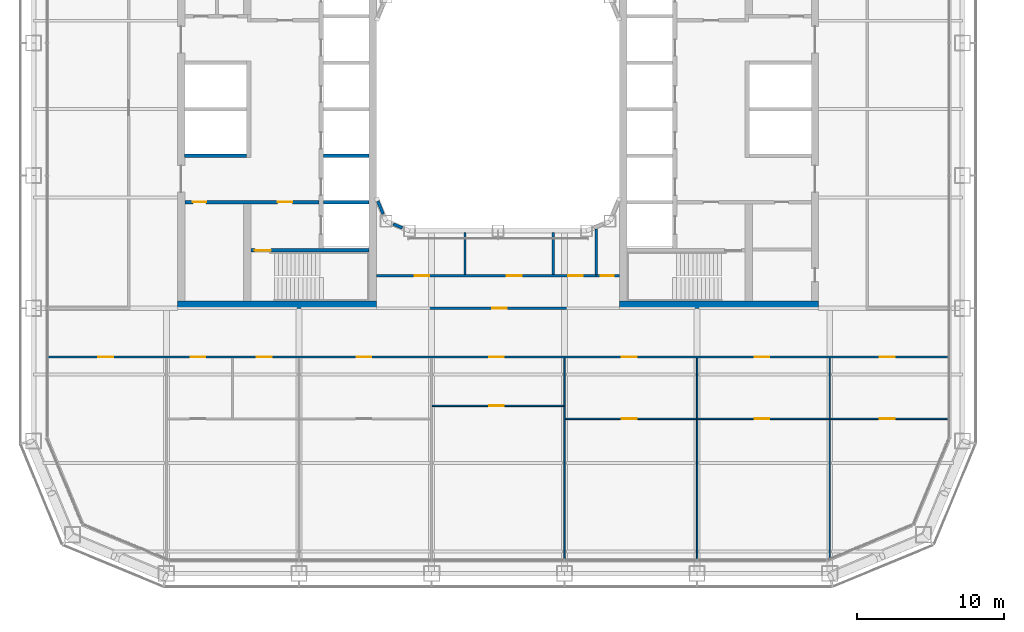
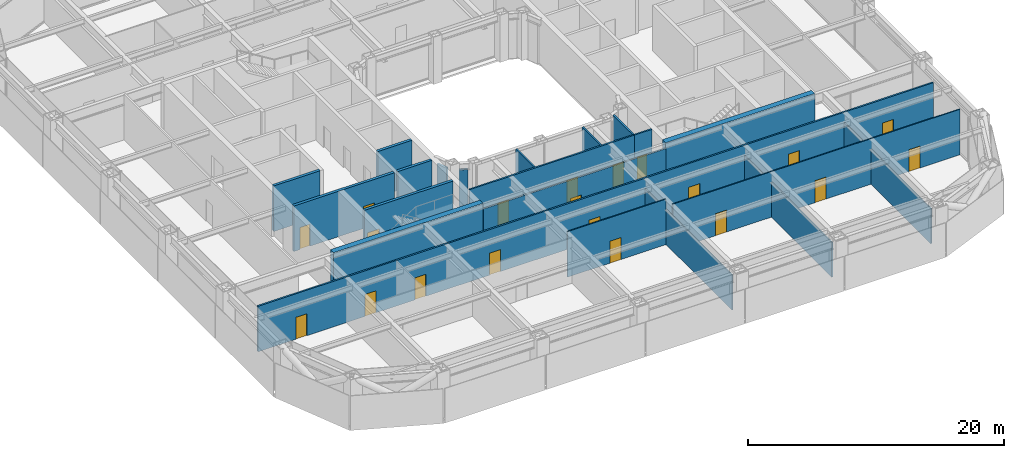
# One storey, part 13 of 30: 23 walls, 20 doors, 20 openings.
"""IFC4 building model written with IfcOpenShell, lengths in metres."""

from ifc_helpers import new_model, si_unit, direction, frame, frame_2d, origin, place, context, subcontext, project, spatial, rectangle, extrude, material, layer, layer_set, type_object, element, fill, save


model = new_model("IFC4")

# Units and contexts
model_context = context("Model", 3, precision=1e-05, world=origin(), true_north=direction((0.0, 1.0)))
body_context = subcontext(model_context, "Body", "Model", "MODEL_VIEW")
ifc_project = project(units=[si_unit("LENGTHUNIT", "METRE"), si_unit("AREAUNIT", "SQUARE_METRE"), si_unit("VOLUMEUNIT", "CUBIC_METRE"), si_unit("PLANEANGLEUNIT", "RADIAN"), si_unit("MASSUNIT", "GRAM", prefix="KILO")], contexts=[model_context])

# Site, building, storey
site_placement = place(None, origin())
site = spatial("IfcSite", under=ifc_project, at=site_placement, CompositionType="ELEMENT")
building_placement = place(site_placement, origin())
building = spatial("IfcBuilding", under=site, at=building_placement, Name="Siwar Civic Tower", CompositionType="ELEMENT")
storey_placement = place(building_placement, frame((0.0, 0.0, 44.699951171875)))
storey = spatial("IfcBuildingStorey", under=building, at=storey_placement, Name="L09", CompositionType="ELEMENT", Elevation=44.699951171875)

# Wall, opening, door
ifc_material_1 = material(Name="Gypsum board on steel studs", Category="steel")
ifc_layer_1 = layer(ifc_material_1, 0.14990234375)
ifc_layer_set_1 = layer_set([ifc_layer_1], Name="Gypsum board on steel studs")
wall_type_1 = type_object("IfcWallType", Name="COMPARTMENT PARTITION 150 EI 60", PredefinedType="PARTITIONING", material=ifc_layer_set_1)
wall_1_placement = place(storey_placement, frame((6.659912109375, -11.300048828125, 0.0), z_axis=(0.0, 0.0, 1.0), x_axis=(1.0, 0.0, 0.0)))
wall_1 = element("IfcWall", 1, at=wall_1_placement, inside=storey, type_object=wall_type_1, Name="L09/wall/P09", PredefinedType="PARTITIONING", context=body_context, shape_type="SweptSolid", body=[
    extrude(rectangle(XDim=1.590087890625, YDim=0.14990234375, at=frame_2d((0.794921875, 0.0))), origin(), (0.0, 0.0, 1.0), 4.35009765625),
])
opening_1_placement = place(wall_1_placement, frame((0.2900390625, 0.0, 0.0)))
opening_1 = element("IfcOpeningElement", 2, at=opening_1_placement, cuts=wall_1, Name="Opening D4", PredefinedType="OPENING", context=body_context, shape_type="SweptSolid", body=[
    extrude(rectangle(XDim=0.89990234375, YDim=2.10009765625, at=frame_2d((0.449951171875, 1.050048828125))), frame((0.0, 0.0849609375, 0.0), z_axis=(0.0, -1.0, 0.0), x_axis=(1.0, 0.0, 0.0)), (0.0, 0.0, 1.0), 0.169921875),
])
ifc_material_2 = material(Name="Timber, painted", Category="wood")
door_type_1 = type_object("IfcDoorType", Name="DOOR 900 X 2100 FD60", OperationType="SINGLE_SWING_LEFT", PredefinedType="DOOR", material=ifc_material_2)
door_1_placement = place(opening_1_placement, origin())
door_1 = element("IfcDoor", 3, at=door_1_placement, inside=storey, type_object=door_type_1, Name="L09-D37", OperationType="SINGLE_SWING_LEFT", OverallHeight=2.10009765625, OverallWidth=0.89990234375, PredefinedType="DOOR", context=body_context, shape_type="SweptSolid", body=[
    extrude(rectangle(XDim=0.89990234375, YDim=2.10009765625, at=frame_2d((0.449951171875, 1.050048828125))), frame((0.0, 0.02490234375, 0.0), z_axis=(0.0, -1.0, 0.0), x_axis=(1.0, 0.0, 0.0)), (0.0, 0.0, 1.0), 0.050048828125),
])
fill(opening_1, door_1)

# Wall
wall_2_placement = place(storey_placement, frame((6.659912109375, -11.22509765625, 0.0), z_axis=(0.0, 0.0, 1.0), x_axis=(0.0, 1.0, 0.0)))
element("IfcWall", 4, at=wall_2_placement, inside=storey, type_object=wall_type_1, Name="L09/wall/P34", PredefinedType="PARTITIONING", context=body_context, shape_type="SweptSolid", body=[
    extrude(rectangle(XDim=3.089111328125, YDim=0.14990234375, at=frame_2d((1.54443359375, 0.0))), origin(), (0.0, 0.0, 1.0), 4.35009765625),
])

# Wall, openings, doors
ifc_material_3 = material(Name="Concrete C60/75", Category="concrete")
ifc_layer_2 = layer(ifc_material_3, 0.25)
ifc_layer_set_2 = layer_set([ifc_layer_2], Name="Concrete C60/75")
wall_type_2 = type_object("IfcWallType", Name="CORE-WALL-RC250", PredefinedType="SHEAR", material=ifc_layer_set_2)
wall_3_placement = place(storey_placement, frame((-12.14990234375, -6.300048828125, 0.0), z_axis=(0.0, 0.0, 1.0), x_axis=(-1.0, 0.0, 0.0)))
wall_3 = element("IfcWall", 5, at=wall_3_placement, inside=storey, type_object=wall_type_2, Name="Core wall W", PredefinedType="SHEAR", context=body_context, shape_type="SweptSolid", body=[
    extrude(rectangle(XDim=9.10009765625, YDim=0.25, at=frame_2d((4.550048828125, 0.0))), origin(), (0.0, 0.0, 1.0), 4.35009765625),
])
opening_2_placement = place(wall_3_placement, frame((1.800048828125, 0.0, 0.0)))
opening_2 = element("IfcOpeningElement", 6, at=opening_2_placement, cuts=wall_3, Name="Opening L09-CW02", PredefinedType="OPENING", context=body_context, shape_type="SweptSolid", body=[
    extrude(rectangle(XDim=1.0, YDim=2.10009765625, at=frame_2d((0.5, 1.050048828125))), frame((0.0, 0.135009765625, 0.0), z_axis=(0.0, -1.0, 0.0), x_axis=(1.0, 0.0, 0.0)), (0.0, 0.0, 1.0), 0.27001953125),
])
opening_3_placement = place(wall_3_placement, frame((7.64990234375, 0.0, 0.0)))
opening_3 = element("IfcOpeningElement", 7, at=opening_3_placement, cuts=wall_3, Name="Opening L09-CW15", PredefinedType="OPENING", context=body_context, shape_type="SweptSolid", body=[
    extrude(rectangle(XDim=0.89990234375, YDim=2.10009765625, at=frame_2d((0.449951171875, 1.050048828125))), frame((0.0, 0.135009765625, 0.0), z_axis=(0.0, -1.0, 0.0), x_axis=(1.0, 0.0, 0.0)), (0.0, 0.0, 1.0), 0.27001953125),
])
ifc_material_4 = material(Name="Steel door leaf", Category="steel")
door_type_2 = type_object("IfcDoorType", Name="CORE-DOOR-FD30S", OperationType="SINGLE_SWING_LEFT", PredefinedType="DOOR", material=ifc_material_4)
door_2_placement = place(opening_2_placement, origin())
door_2 = element("IfcDoor", 8, at=door_2_placement, inside=storey, type_object=door_type_2, Name="Service lobby door L09-CW02", OperationType="SINGLE_SWING_RIGHT", OverallHeight=2.10009765625, OverallWidth=1.0, PredefinedType="DOOR", context=body_context, shape_type="SweptSolid", body=[
    extrude(rectangle(XDim=1.0, YDim=2.10009765625, at=frame_2d((0.5, 1.050048828125))), frame((0.0, 0.02490234375, 0.0), z_axis=(0.0, -1.0, 0.0), x_axis=(1.0, 0.0, 0.0)), (0.0, 0.0, 1.0), 0.050048828125),
])
fill(opening_2, door_2)
ifc_material_5 = material(Name="Steel door leaf", Category="steel")
door_type_3 = type_object("IfcDoorType", Name="CORE-DOOR-ROOM", OperationType="SINGLE_SWING_LEFT", PredefinedType="DOOR", material=ifc_material_5)
door_3_placement = place(opening_3_placement, origin())
door_3 = element("IfcDoor", 9, at=door_3_placement, inside=storey, type_object=door_type_3, Name="Core room door L09-CW15", OperationType="SINGLE_SWING_LEFT", OverallHeight=2.10009765625, OverallWidth=0.89990234375, PredefinedType="DOOR", context=body_context, shape_type="SweptSolid", body=[
    extrude(rectangle(XDim=0.89990234375, YDim=2.10009765625, at=frame_2d((0.449951171875, 1.050048828125))), frame((0.0, 0.02490234375, 0.0), z_axis=(0.0, -1.0, 0.0), x_axis=(1.0, 0.0, 0.0)), (0.0, 0.0, 1.0), 0.050048828125),
])
fill(opening_3, door_3)

# Walls
wall_4_placement = place(storey_placement, frame((-17.050048828125, -3.14990234375, 0.0), z_axis=(0.0, 0.0, 1.0), x_axis=(-1.0, 0.0, 0.0)))
element("IfcWall", 10, at=wall_4_placement, inside=storey, type_object=wall_type_2, Name="Core wall W", PredefinedType="SHEAR", context=body_context, shape_type="SweptSolid", body=[
    extrude(rectangle(XDim=4.199951171875, YDim=0.25, at=frame_2d((2.10009765625, 0.0))), origin(), (0.0, 0.0, 1.0), 4.35009765625),
])
for number, where, z_axis, x_axis, name in (
    (11, (-8.75, -3.14990234375, 0.0), (0.0, 0.0, 1.0), (-1.0, 0.0, 0.0), "Core wall W"),
    (12, (-8.75, -6.300048828125, 0.0), (0.0, 0.0, 1.0), (-1.0, 0.0, 0.0), "Core wall W"),
):
    element("IfcWall", number, at=place(storey_placement, frame(where, z_axis=z_axis, x_axis=x_axis)), inside=storey, type_object=wall_type_2, Name=name, PredefinedType="SHEAR", context=body_context, shape_type="SweptSolid", body=[
        extrude(rectangle(XDim=3.10009765625, YDim=0.25, at=frame_2d((1.550048828125, 0.0))), origin(), (0.0, 0.0, 1.0), 4.35009765625),
    ])

# Wall, opening, door
wall_5_placement = place(storey_placement, frame((-8.75, -9.574951171875, 0.0), z_axis=(0.0, 0.0, 1.0), x_axis=(-1.0, 0.0, 0.0)))
wall_5 = element("IfcWall", 13, at=wall_5_placement, inside=storey, type_object=wall_type_2, Name="Core wall W", PredefinedType="SHEAR", context=body_context, shape_type="SweptSolid", body=[
    extrude(rectangle(XDim=8.0, YDim=0.25, at=frame_2d((4.0, 0.0))), origin(), (0.0, 0.0, 1.0), 4.35009765625),
])
opening_4_placement = place(wall_5_placement, frame((6.64990234375, 0.0, 0.0)))
opening_4 = element("IfcOpeningElement", 14, at=opening_4_placement, cuts=wall_5, Name="Opening L09-CW04", PredefinedType="OPENING", context=body_context, shape_type="SweptSolid", body=[
    extrude(rectangle(XDim=1.10009765625, YDim=2.10009765625, at=frame_2d((0.550048828125, 1.050048828125))), frame((0.0, 0.135009765625, 0.0), z_axis=(0.0, -1.0, 0.0), x_axis=(1.0, 0.0, 0.0)), (0.0, 0.0, 1.0), 0.27001953125),
])
ifc_material_6 = material(Name="Steel door leaf", Category="steel")
door_type_4 = type_object("IfcDoorType", Name="CORE-DOOR-FD60S", OperationType="SINGLE_SWING_LEFT", PredefinedType="DOOR", material=ifc_material_6)
door_4_placement = place(opening_4_placement, origin())
door_4 = element("IfcDoor", 15, at=door_4_placement, inside=storey, type_object=door_type_4, Name="Stair door L09-CW04", OperationType="SINGLE_SWING_LEFT", OverallHeight=2.10009765625, OverallWidth=1.10009765625, PredefinedType="DOOR", context=body_context, shape_type="SweptSolid", body=[
    extrude(rectangle(XDim=1.10009765625, YDim=2.10009765625, at=frame_2d((0.550048828125, 1.050048828125))), frame((0.0, 0.02490234375, 0.0), z_axis=(0.0, -1.0, 0.0), x_axis=(1.0, 0.0, 0.0)), (0.0, 0.0, 1.0), 0.050048828125),
])
fill(opening_4, door_4)

# Walls
ifc_material_7 = material(Name="Concrete C60/75", Category="concrete")
ifc_layer_3 = layer(ifc_material_7, 0.5)
ifc_layer_set_3 = layer_set([ifc_layer_3], Name="Concrete C60/75")
wall_type_3 = type_object("IfcWallType", Name="CORE-WALL-RC500", PredefinedType="SHEAR", material=ifc_layer_set_3)
for number, where, z_axis, x_axis, name in (
    (16, (-8.25, -13.25, 0.0), (0.0, 0.0, 1.0), (-1.0, 0.0, 0.0), "Core wall W"),
    (17, (8.25, -13.25, 0.0), (0.0, 0.0, 1.0), (1.0, 0.0, 0.0), "Core wall E"),
):
    element("IfcWall", number, at=place(storey_placement, frame(where, z_axis=z_axis, x_axis=x_axis)), inside=storey, type_object=wall_type_3, Name=name, PredefinedType="SHEAR", context=body_context, shape_type="SweptSolid", body=[
        extrude(rectangle(XDim=13.5, YDim=0.5, at=frame_2d((6.75, 0.0))), origin(), (0.0, 0.0, 1.0), 4.35009765625),
    ])

# Wall, openings, doors
ifc_material_8 = material(Name="Gypsum board on steel studs", Category="steel")
ifc_layer_4 = layer(ifc_material_8, 0.14990234375)
ifc_layer_set_4 = layer_set([ifc_layer_4], Name="Gypsum board on steel studs")
wall_type_4 = type_object("IfcWallType", Name="CORRIDOR PARTITION 150 EI 30", PredefinedType="PARTITIONING", material=ifc_layer_set_4)
wall_6_placement = place(storey_placement, frame((-30.510009765625, -16.800048828125, 0.0), z_axis=(0.0, 0.0, 1.0), x_axis=(1.0, 0.0, 0.0)))
wall_6 = element("IfcWall", 18, at=wall_6_placement, inside=storey, type_object=wall_type_4, Name="L09/wall/P04", PredefinedType="PARTITIONING", context=body_context, shape_type="SweptSolid", body=[
    extrude(rectangle(XDim=61.02001953125, YDim=0.14990234375, at=frame_2d((30.510009765625, 0.0))), origin(), (0.0, 0.0, 1.0), 4.35009765625),
])
opening_5_placement = place(wall_6_placement, frame((9.659912109375, 0.0, 0.0)))
opening_5 = element("IfcOpeningElement", 19, at=opening_5_placement, cuts=wall_6, Name="Opening D1", PredefinedType="OPENING", context=body_context, shape_type="SweptSolid", body=[
    extrude(rectangle(XDim=1.0, YDim=2.10009765625, at=frame_2d((0.5, 1.050048828125))), frame((0.0, 0.0849609375, 0.0), z_axis=(0.0, -1.0, 0.0), x_axis=(1.0, 0.0, 0.0)), (0.0, 0.0, 1.0), 0.169921875),
])
opening_6_placement = place(wall_6_placement, frame((14.159912109375, 0.0, 0.0)))
opening_6 = element("IfcOpeningElement", 20, at=opening_6_placement, cuts=wall_6, Name="Opening D1", PredefinedType="OPENING", context=body_context, shape_type="SweptSolid", body=[
    extrude(rectangle(XDim=1.0, YDim=2.10009765625, at=frame_2d((0.5, 1.050048828125))), frame((0.0, 0.0849609375, 0.0), z_axis=(0.0, -1.0, 0.0), x_axis=(1.0, 0.0, 0.0)), (0.0, 0.0, 1.0), 0.169921875),
])
opening_7_placement = place(wall_6_placement, frame((20.909912109375, 0.0, 0.0)))
opening_7 = element("IfcOpeningElement", 21, at=opening_7_placement, cuts=wall_6, Name="Opening D1", PredefinedType="OPENING", context=body_context, shape_type="SweptSolid", body=[
    extrude(rectangle(XDim=1.0, YDim=2.10009765625, at=frame_2d((0.5, 1.050048828125))), frame((0.0, 0.0849609375, 0.0), z_axis=(0.0, -1.0, 0.0), x_axis=(1.0, 0.0, 0.0)), (0.0, 0.0, 1.0), 0.169921875),
])
opening_8_placement = place(wall_6_placement, frame((29.909912109375, 0.0, 0.0)))
opening_8 = element("IfcOpeningElement", 22, at=opening_8_placement, cuts=wall_6, Name="Opening D1", PredefinedType="OPENING", context=body_context, shape_type="SweptSolid", body=[
    extrude(rectangle(XDim=1.0, YDim=2.10009765625, at=frame_2d((0.5, 1.050048828125))), frame((0.0, 0.0849609375, 0.0), z_axis=(0.0, -1.0, 0.0), x_axis=(1.0, 0.0, 0.0)), (0.0, 0.0, 1.0), 0.169921875),
])
opening_9_placement = place(wall_6_placement, frame((38.909912109375, 0.0, 0.0)))
opening_9 = element("IfcOpeningElement", 23, at=opening_9_placement, cuts=wall_6, Name="Opening D1", PredefinedType="OPENING", context=body_context, shape_type="SweptSolid", body=[
    extrude(rectangle(XDim=1.0, YDim=2.10009765625, at=frame_2d((0.5, 1.050048828125))), frame((0.0, 0.0849609375, 0.0), z_axis=(0.0, -1.0, 0.0), x_axis=(1.0, 0.0, 0.0)), (0.0, 0.0, 1.0), 0.169921875),
])
opening_10_placement = place(wall_6_placement, frame((47.909912109375, 0.0, 0.0)))
opening_10 = element("IfcOpeningElement", 24, at=opening_10_placement, cuts=wall_6, Name="Opening D1", PredefinedType="OPENING", context=body_context, shape_type="SweptSolid", body=[
    extrude(rectangle(XDim=1.0, YDim=2.10009765625, at=frame_2d((0.5, 1.050048828125))), frame((0.0, 0.0849609375, 0.0), z_axis=(0.0, -1.0, 0.0), x_axis=(1.0, 0.0, 0.0)), (0.0, 0.0, 1.0), 0.169921875),
])
opening_11_placement = place(wall_6_placement, frame((3.39990234375, 0.0, 0.0)))
opening_11 = element("IfcOpeningElement", 25, at=opening_11_placement, cuts=wall_6, Name="Opening D1", PredefinedType="OPENING", context=body_context, shape_type="SweptSolid", body=[
    extrude(rectangle(XDim=1.0, YDim=2.10009765625, at=frame_2d((0.5, 1.050048828125))), frame((0.0, 0.0849609375, 0.0), z_axis=(0.0, -1.0, 0.0), x_axis=(1.0, 0.0, 0.0)), (0.0, 0.0, 1.0), 0.169921875),
])
opening_12_placement = place(wall_6_placement, frame((56.409912109375, 0.0, 0.0)))
opening_12 = element("IfcOpeningElement", 26, at=opening_12_placement, cuts=wall_6, Name="Opening D1", PredefinedType="OPENING", context=body_context, shape_type="SweptSolid", body=[
    extrude(rectangle(XDim=1.0, YDim=2.10009765625, at=frame_2d((0.5, 1.050048828125))), frame((0.0, 0.0849609375, 0.0), z_axis=(0.0, -1.0, 0.0), x_axis=(1.0, 0.0, 0.0)), (0.0, 0.0, 1.0), 0.169921875),
])
ifc_material_9 = material(Name="Timber, painted", Category="wood")
door_type_5 = type_object("IfcDoorType", Name="DOOR 1000 X 2100 FD30", OperationType="SINGLE_SWING_LEFT", PredefinedType="DOOR", material=ifc_material_9)
door_5_placement = place(opening_5_placement, origin())
door_5 = element("IfcDoor", 27, at=door_5_placement, inside=storey, type_object=door_type_5, Name="L09-D13", OperationType="SINGLE_SWING_LEFT", OverallHeight=2.10009765625, OverallWidth=1.0, PredefinedType="DOOR", context=body_context, shape_type="SweptSolid", body=[
    extrude(rectangle(XDim=1.0, YDim=2.10009765625, at=frame_2d((0.5, 1.050048828125))), frame((0.0, 0.02490234375, 0.0), z_axis=(0.0, -1.0, 0.0), x_axis=(1.0, 0.0, 0.0)), (0.0, 0.0, 1.0), 0.050048828125),
])
fill(opening_5, door_5)
door_6_placement = place(opening_6_placement, origin())
door_6 = element("IfcDoor", 28, at=door_6_placement, inside=storey, type_object=door_type_5, Name="L09-D14", OperationType="SINGLE_SWING_RIGHT", OverallHeight=2.10009765625, OverallWidth=1.0, PredefinedType="DOOR", context=body_context, shape_type="SweptSolid", body=[
    extrude(rectangle(XDim=1.0, YDim=2.10009765625, at=frame_2d((0.5, 1.050048828125))), frame((0.0, 0.02490234375, 0.0), z_axis=(0.0, -1.0, 0.0), x_axis=(1.0, 0.0, 0.0)), (0.0, 0.0, 1.0), 0.050048828125),
])
fill(opening_6, door_6)
door_7_placement = place(opening_7_placement, origin())
door_7 = element("IfcDoor", 29, at=door_7_placement, inside=storey, type_object=door_type_5, Name="L09-D16", OperationType="SINGLE_SWING_RIGHT", OverallHeight=2.10009765625, OverallWidth=1.0, PredefinedType="DOOR", context=body_context, shape_type="SweptSolid", body=[
    extrude(rectangle(XDim=1.0, YDim=2.10009765625, at=frame_2d((0.5, 1.050048828125))), frame((0.0, 0.02490234375, 0.0), z_axis=(0.0, -1.0, 0.0), x_axis=(1.0, 0.0, 0.0)), (0.0, 0.0, 1.0), 0.050048828125),
])
fill(opening_7, door_7)
door_8_placement = place(opening_8_placement, origin())
door_8 = element("IfcDoor", 30, at=door_8_placement, inside=storey, type_object=door_type_5, Name="L09-D18", OperationType="SINGLE_SWING_RIGHT", OverallHeight=2.10009765625, OverallWidth=1.0, PredefinedType="DOOR", context=body_context, shape_type="SweptSolid", body=[
    extrude(rectangle(XDim=1.0, YDim=2.10009765625, at=frame_2d((0.5, 1.050048828125))), frame((0.0, 0.02490234375, 0.0), z_axis=(0.0, -1.0, 0.0), x_axis=(1.0, 0.0, 0.0)), (0.0, 0.0, 1.0), 0.050048828125),
])
fill(opening_8, door_8)
door_9_placement = place(opening_9_placement, origin())
door_9 = element("IfcDoor", 31, at=door_9_placement, inside=storey, type_object=door_type_5, Name="L09-D20", OperationType="SINGLE_SWING_RIGHT", OverallHeight=2.10009765625, OverallWidth=1.0, PredefinedType="DOOR", context=body_context, shape_type="SweptSolid", body=[
    extrude(rectangle(XDim=1.0, YDim=2.10009765625, at=frame_2d((0.5, 1.050048828125))), frame((0.0, 0.02490234375, 0.0), z_axis=(0.0, -1.0, 0.0), x_axis=(1.0, 0.0, 0.0)), (0.0, 0.0, 1.0), 0.050048828125),
])
fill(opening_9, door_9)
door_10_placement = place(opening_10_placement, origin())
door_10 = element("IfcDoor", 32, at=door_10_placement, inside=storey, type_object=door_type_5, Name="L09-D22", OperationType="SINGLE_SWING_RIGHT", OverallHeight=2.10009765625, OverallWidth=1.0, PredefinedType="DOOR", context=body_context, shape_type="SweptSolid", body=[
    extrude(rectangle(XDim=1.0, YDim=2.10009765625, at=frame_2d((0.5, 1.050048828125))), frame((0.0, 0.02490234375, 0.0), z_axis=(0.0, -1.0, 0.0), x_axis=(1.0, 0.0, 0.0)), (0.0, 0.0, 1.0), 0.050048828125),
])
fill(opening_10, door_10)
door_11_placement = place(opening_11_placement, origin())
door_11 = element("IfcDoor", 33, at=door_11_placement, inside=storey, type_object=door_type_5, Name="L09-D26", OperationType="SINGLE_SWING_RIGHT", OverallHeight=2.10009765625, OverallWidth=1.0, PredefinedType="DOOR", context=body_context, shape_type="SweptSolid", body=[
    extrude(rectangle(XDim=1.0, YDim=2.10009765625, at=frame_2d((0.5, 1.050048828125))), frame((0.0, 0.02490234375, 0.0), z_axis=(0.0, -1.0, 0.0), x_axis=(1.0, 0.0, 0.0)), (0.0, 0.0, 1.0), 0.050048828125),
])
fill(opening_11, door_11)
door_12_placement = place(opening_12_placement, origin())
door_12 = element("IfcDoor", 34, at=door_12_placement, inside=storey, type_object=door_type_5, Name="L09-D27", OperationType="SINGLE_SWING_LEFT", OverallHeight=2.10009765625, OverallWidth=1.0, PredefinedType="DOOR", context=body_context, shape_type="SweptSolid", body=[
    extrude(rectangle(XDim=1.0, YDim=2.10009765625, at=frame_2d((0.5, 1.050048828125))), frame((0.0, 0.02490234375, 0.0), z_axis=(0.0, -1.0, 0.0), x_axis=(1.0, 0.0, 0.0)), (0.0, 0.0, 1.0), 0.050048828125),
])
fill(opening_12, door_12)

# Wall, opening, door
wall_7_placement = place(storey_placement, frame((-8.25, -13.5, 0.0), z_axis=(0.0, 0.0, 1.0), x_axis=(1.0, 0.0, 0.0)))
wall_7 = element("IfcWall", 35, at=wall_7_placement, inside=storey, type_object=wall_type_4, Name="L09/wall/P06", PredefinedType="PARTITIONING", context=body_context, shape_type="SweptSolid", body=[
    extrude(rectangle(XDim=16.5, YDim=0.14990234375, at=frame_2d((8.25, 0.0))), origin(), (0.0, 0.0, 1.0), 3.85009765625),
])
opening_13_placement = place(wall_7_placement, frame((7.85009765625, 0.0, 0.0)))
opening_13 = element("IfcOpeningElement", 36, at=opening_13_placement, cuts=wall_7, Name="Opening D1", PredefinedType="OPENING", context=body_context, shape_type="SweptSolid", body=[
    extrude(rectangle(XDim=1.0, YDim=2.10009765625, at=frame_2d((0.5, 1.050048828125))), frame((0.0, 0.0849609375, 0.0), z_axis=(0.0, -1.0, 0.0), x_axis=(1.0, 0.0, 0.0)), (0.0, 0.0, 1.0), 0.169921875),
])
door_13_placement = place(opening_13_placement, origin())
door_13 = element("IfcDoor", 37, at=door_13_placement, inside=storey, type_object=door_type_5, Name="L09-D33", OperationType="SINGLE_SWING_LEFT", OverallHeight=2.10009765625, OverallWidth=1.0, PredefinedType="DOOR", context=body_context, shape_type="SweptSolid", body=[
    extrude(rectangle(XDim=1.0, YDim=2.10009765625, at=frame_2d((0.5, 1.050048828125))), frame((0.0, 0.02490234375, 0.0), z_axis=(0.0, -1.0, 0.0), x_axis=(1.0, 0.0, 0.0)), (0.0, 0.0, 1.0), 0.050048828125),
])
fill(opening_13, door_13)

# Wall, openings, doors
wall_8_placement = place(storey_placement, frame((-8.25, -11.300048828125, 0.0), z_axis=(0.0, 0.0, 1.0), x_axis=(1.0, 0.0, 0.0)))
wall_8 = element("IfcWall", 38, at=wall_8_placement, inside=storey, type_object=wall_type_4, Name="L09/wall/P08", PredefinedType="PARTITIONING", context=body_context, shape_type="SweptSolid", body=[
    extrude(rectangle(XDim=14.909912109375, YDim=0.14990234375, at=frame_2d((7.455078125, 0.0))), origin(), (0.0, 0.0, 1.0), 4.35009765625),
])
opening_14_placement = place(wall_8_placement, frame((2.60009765625, 0.0, 0.0)))
opening_14 = element("IfcOpeningElement", 39, at=opening_14_placement, cuts=wall_8, Name="Opening D3", PredefinedType="OPENING", context=body_context, shape_type="SweptSolid", body=[
    extrude(rectangle(XDim=1.0, YDim=2.10009765625, at=frame_2d((0.5, 1.050048828125))), frame((0.0, 0.0849609375, 0.0), z_axis=(0.0, -1.0, 0.0), x_axis=(1.0, 0.0, 0.0)), (0.0, 0.0, 1.0), 0.169921875),
])
opening_15_placement = place(wall_8_placement, frame((8.85009765625, 0.0, 0.0)))
opening_15 = element("IfcOpeningElement", 40, at=opening_15_placement, cuts=wall_8, Name="Opening D3", PredefinedType="OPENING", context=body_context, shape_type="SweptSolid", body=[
    extrude(rectangle(XDim=1.0, YDim=2.10009765625, at=frame_2d((0.5, 1.050048828125))), frame((0.0, 0.0849609375, 0.0), z_axis=(0.0, -1.0, 0.0), x_axis=(1.0, 0.0, 0.0)), (0.0, 0.0, 1.0), 0.169921875),
])
opening_16_placement = place(wall_8_placement, frame((13.010009765625, 0.0, 0.0)))
opening_16 = element("IfcOpeningElement", 41, at=opening_16_placement, cuts=wall_8, Name="Opening D3", PredefinedType="OPENING", context=body_context, shape_type="SweptSolid", body=[
    extrude(rectangle(XDim=1.0, YDim=2.10009765625, at=frame_2d((0.5, 1.050048828125))), frame((0.0, 0.0849609375, 0.0), z_axis=(0.0, -1.0, 0.0), x_axis=(1.0, 0.0, 0.0)), (0.0, 0.0, 1.0), 0.169921875),
])
ifc_material_10 = material(Name="Timber, painted", Category="wood")
door_type_6 = type_object("IfcDoorType", Name="DOOR 1000 X 2100 WC", OperationType="SINGLE_SWING_LEFT", PredefinedType="DOOR", material=ifc_material_10)
door_14_placement = place(opening_14_placement, origin())
door_14 = element("IfcDoor", 42, at=door_14_placement, inside=storey, type_object=door_type_6, Name="L09-D34", OperationType="SINGLE_SWING_RIGHT", OverallHeight=2.10009765625, OverallWidth=1.0, PredefinedType="DOOR", context=body_context, shape_type="SweptSolid", body=[
    extrude(rectangle(XDim=1.0, YDim=2.10009765625, at=frame_2d((0.5, 1.050048828125))), frame((0.0, 0.02490234375, 0.0), z_axis=(0.0, -1.0, 0.0), x_axis=(1.0, 0.0, 0.0)), (0.0, 0.0, 1.0), 0.050048828125),
])
fill(opening_14, door_14)
door_15_placement = place(opening_15_placement, origin())
door_15 = element("IfcDoor", 43, at=door_15_placement, inside=storey, type_object=door_type_6, Name="L09-D35", OperationType="SINGLE_SWING_LEFT", OverallHeight=2.10009765625, OverallWidth=1.0, PredefinedType="DOOR", context=body_context, shape_type="SweptSolid", body=[
    extrude(rectangle(XDim=1.0, YDim=2.10009765625, at=frame_2d((0.5, 1.050048828125))), frame((0.0, 0.02490234375, 0.0), z_axis=(0.0, -1.0, 0.0), x_axis=(1.0, 0.0, 0.0)), (0.0, 0.0, 1.0), 0.050048828125),
])
fill(opening_15, door_15)
door_16_placement = place(opening_16_placement, origin())
door_16 = element("IfcDoor", 44, at=door_16_placement, inside=storey, type_object=door_type_6, Name="L09-D36", OperationType="SINGLE_SWING_RIGHT", OverallHeight=2.10009765625, OverallWidth=1.0, PredefinedType="DOOR", context=body_context, shape_type="SweptSolid", body=[
    extrude(rectangle(XDim=1.0, YDim=2.10009765625, at=frame_2d((0.5, 1.050048828125))), frame((0.0, 0.02490234375, 0.0), z_axis=(0.0, -1.0, 0.0), x_axis=(1.0, 0.0, 0.0)), (0.0, 0.0, 1.0), 0.050048828125),
])
fill(opening_16, door_16)

# Walls
for number, where, z_axis, x_axis, name in (
    (45, (-2.25, -11.22509765625, 0.0), (0.0, 0.0, 1.0), (0.0, 1.0, 0.0), "L09/wall/P29"),
    (46, (3.75, -11.22509765625, 0.0), (0.0, 0.0, 1.0), (0.0, 1.0, 0.0), "L09/wall/P30"),
):
    element("IfcWall", number, at=place(storey_placement, frame(where, z_axis=z_axis, x_axis=x_axis)), inside=storey, type_object=wall_type_4, Name=name, PredefinedType="PARTITIONING", context=body_context, shape_type="SweptSolid", body=[
        extrude(rectangle(XDim=2.85498046875, YDim=0.14990234375, at=frame_2d((1.427490234375, 0.0))), origin(), (0.0, 0.0, 1.0), 4.35009765625),
    ])
ifc_material_11 = material(Name="Aluminium clad insulated panel", Category="aluminium")
ifc_layer_5 = layer(ifc_material_11, 0.199951171875)
ifc_layer_set_5 = layer_set([ifc_layer_5], Name="Aluminium clad insulated panel")
wall_type_5 = type_object("IfcWallType", Name="ENV-WALL-WELL", PredefinedType="STANDARD", material=ifc_layer_set_5)
wall_9_placement = place(storey_placement, frame((-8.154296875, -6.23095703125, 0.0), z_axis=(0.0, 0.0, 1.0), x_axis=(0.382624318388, -0.923904016107, 0.0)))
element("IfcWall", 47, at=wall_9_placement, inside=storey, type_object=wall_type_5, Name="Light well corner wall SW1", PredefinedType="STANDARD", context=body_context, shape_type="SweptSolid", body=[
    extrude(rectangle(XDim=0.949462890625, YDim=0.199951171875, at=frame_2d((0.474609375, 0.0))), origin(), (0.0, 0.0, 1.0), 3.72998046875),
])
wall_10_placement = place(storey_placement, frame((-7.108154296875, -7.791015625, 0.0), z_axis=(0.0, 0.0, 1.0), x_axis=(0.923854141361, -0.382744726273, 0.0)))
element("IfcWall", 48, at=wall_10_placement, inside=storey, type_object=wall_type_5, Name="Light well corner wall SW2", PredefinedType="STANDARD", context=body_context, shape_type="SweptSolid", body=[
    extrude(rectangle(XDim=0.6767578125, YDim=0.199951171875, at=frame_2d((0.33837890625, 0.0))), origin(), (0.0, 0.0, 1.0), 3.72998046875),
])

# Wall, openings, doors
ifc_material_12 = material(Name="Gypsum board on steel studs", Category="steel")
ifc_layer_6 = layer(ifc_material_12, 0.10009765625)
ifc_layer_set_6 = layer_set([ifc_layer_6], Name="Gypsum board on steel studs")
wall_type_6 = type_object("IfcWallType", Name="PARTITION 100 GYPSUM", PredefinedType="PARTITIONING", material=ifc_layer_set_6)
wall_11_placement = place(storey_placement, frame((4.550048828125, -21.0, 0.0), z_axis=(0.0, 0.0, 1.0), x_axis=(1.0, 0.0, 0.0)))
wall_11 = element("IfcWall", 49, at=wall_11_placement, inside=storey, type_object=wall_type_6, Name="L09/wall/P02", PredefinedType="PARTITIONING", context=body_context, shape_type="SweptSolid", body=[
    extrude(rectangle(XDim=25.9599609375, YDim=0.10009765625, at=frame_2d((12.97998046875, 0.0))), origin(), (0.0, 0.0, 1.0), 4.35009765625),
])
opening_17_placement = place(wall_11_placement, frame((3.85009765625, 0.0, 0.0)))
opening_17 = element("IfcOpeningElement", 50, at=opening_17_placement, cuts=wall_11, Name="Opening D2", PredefinedType="OPENING", context=body_context, shape_type="SweptSolid", body=[
    extrude(rectangle(XDim=1.0, YDim=2.10009765625, at=frame_2d((0.5, 1.050048828125))), frame((0.0, 0.06005859375, 0.0), z_axis=(0.0, -1.0, 0.0), x_axis=(1.0, 0.0, 0.0)), (0.0, 0.0, 1.0), 0.1201171875),
])
opening_18_placement = place(wall_11_placement, frame((12.85009765625, 0.0, 0.0)))
opening_18 = element("IfcOpeningElement", 51, at=opening_18_placement, cuts=wall_11, Name="Opening D2", PredefinedType="OPENING", context=body_context, shape_type="SweptSolid", body=[
    extrude(rectangle(XDim=1.0, YDim=2.10009765625, at=frame_2d((0.5, 1.050048828125))), frame((0.0, 0.06005859375, 0.0), z_axis=(0.0, -1.0, 0.0), x_axis=(1.0, 0.0, 0.0)), (0.0, 0.0, 1.0), 0.1201171875),
])
opening_19_placement = place(wall_11_placement, frame((21.35009765625, 0.0, 0.0)))
opening_19 = element("IfcOpeningElement", 52, at=opening_19_placement, cuts=wall_11, Name="Opening D2", PredefinedType="OPENING", context=body_context, shape_type="SweptSolid", body=[
    extrude(rectangle(XDim=1.0, YDim=2.10009765625, at=frame_2d((0.5, 1.050048828125))), frame((0.0, 0.06005859375, 0.0), z_axis=(0.0, -1.0, 0.0), x_axis=(1.0, 0.0, 0.0)), (0.0, 0.0, 1.0), 0.1201171875),
])
ifc_material_13 = material(Name="Timber, painted", Category="wood")
door_type_7 = type_object("IfcDoorType", Name="DOOR 1000 X 2100", OperationType="SINGLE_SWING_LEFT", PredefinedType="DOOR", material=ifc_material_13)
door_17_placement = place(opening_17_placement, origin())
door_17 = element("IfcDoor", 53, at=door_17_placement, inside=storey, type_object=door_type_7, Name="L09-D21", OperationType="SINGLE_SWING_LEFT", OverallHeight=2.10009765625, OverallWidth=1.0, PredefinedType="DOOR", context=body_context, shape_type="SweptSolid", body=[
    extrude(rectangle(XDim=1.0, YDim=2.10009765625, at=frame_2d((0.5, 1.050048828125))), frame((0.0, 0.02490234375, 0.0), z_axis=(0.0, -1.0, 0.0), x_axis=(1.0, 0.0, 0.0)), (0.0, 0.0, 1.0), 0.050048828125),
])
fill(opening_17, door_17)
door_18_placement = place(opening_18_placement, origin())
door_18 = element("IfcDoor", 54, at=door_18_placement, inside=storey, type_object=door_type_7, Name="L09-D23", OperationType="SINGLE_SWING_LEFT", OverallHeight=2.10009765625, OverallWidth=1.0, PredefinedType="DOOR", context=body_context, shape_type="SweptSolid", body=[
    extrude(rectangle(XDim=1.0, YDim=2.10009765625, at=frame_2d((0.5, 1.050048828125))), frame((0.0, 0.02490234375, 0.0), z_axis=(0.0, -1.0, 0.0), x_axis=(1.0, 0.0, 0.0)), (0.0, 0.0, 1.0), 0.050048828125),
])
fill(opening_18, door_18)
door_19_placement = place(opening_19_placement, origin())
door_19 = element("IfcDoor", 55, at=door_19_placement, inside=storey, type_object=door_type_7, Name="L09-D28", OperationType="SINGLE_SWING_RIGHT", OverallHeight=2.10009765625, OverallWidth=1.0, PredefinedType="DOOR", context=body_context, shape_type="SweptSolid", body=[
    extrude(rectangle(XDim=1.0, YDim=2.10009765625, at=frame_2d((0.5, 1.050048828125))), frame((0.0, 0.02490234375, 0.0), z_axis=(0.0, -1.0, 0.0), x_axis=(1.0, 0.0, 0.0)), (0.0, 0.0, 1.0), 0.050048828125),
])
fill(opening_19, door_19)

# Wall, opening, door
wall_12_placement = place(storey_placement, frame((-4.449951171875, -20.1201171875, 0.0), z_axis=(0.0, 0.0, 1.0), x_axis=(1.0, 0.0, 0.0)))
wall_12 = element("IfcWall", 56, at=wall_12_placement, inside=storey, type_object=wall_type_6, Name="L09/wall/P03", PredefinedType="PARTITIONING", context=body_context, shape_type="SweptSolid", body=[
    extrude(rectangle(XDim=8.89990234375, YDim=0.10009765625, at=frame_2d((4.449951171875, 0.0))), origin(), (0.0, 0.0, 1.0), 4.35009765625),
])
opening_20_placement = place(wall_12_placement, frame((3.85009765625, 0.0, 0.0)))
opening_20 = element("IfcOpeningElement", 57, at=opening_20_placement, cuts=wall_12, Name="Opening D2", PredefinedType="OPENING", context=body_context, shape_type="SweptSolid", body=[
    extrude(rectangle(XDim=1.0, YDim=2.10009765625, at=frame_2d((0.5, 1.050048828125))), frame((0.0, 0.06005859375, 0.0), z_axis=(0.0, -1.0, 0.0), x_axis=(1.0, 0.0, 0.0)), (0.0, 0.0, 1.0), 0.1201171875),
])
door_20_placement = place(opening_20_placement, origin())
door_20 = element("IfcDoor", 58, at=door_20_placement, inside=storey, type_object=door_type_7, Name="L09-D19", OperationType="SINGLE_SWING_LEFT", OverallHeight=2.10009765625, OverallWidth=1.0, PredefinedType="DOOR", context=body_context, shape_type="SweptSolid", body=[
    extrude(rectangle(XDim=1.0, YDim=2.10009765625, at=frame_2d((0.5, 1.050048828125))), frame((0.0, 0.02490234375, 0.0), z_axis=(0.0, -1.0, 0.0), x_axis=(1.0, 0.0, 0.0)), (0.0, 0.0, 1.0), 0.050048828125),
])
fill(opening_20, door_20)

# Walls
wall_13_placement = place(storey_placement, frame((4.5, -30.510009765625, 0.0), z_axis=(0.0, 0.0, 1.0), x_axis=(0.0, 1.0, 0.0)))
element("IfcWall", 59, at=wall_13_placement, inside=storey, type_object=wall_type_6, Name="L09/wall/P31", PredefinedType="PARTITIONING", context=body_context, shape_type="SweptSolid", body=[
    extrude(rectangle(XDim=13.635009765625, YDim=0.10009765625, at=frame_2d((6.8173828125, 0.0))), origin(), (0.0, 0.0, 1.0), 3.35009765625),
])
wall_14_placement = place(storey_placement, frame((13.5, -30.510009765625, 0.0), z_axis=(0.0, 0.0, 1.0), x_axis=(0.0, 1.0, 0.0)))
element("IfcWall", 60, at=wall_14_placement, inside=storey, type_object=wall_type_6, Name="L09/wall/P35", PredefinedType="PARTITIONING", context=body_context, shape_type="SweptSolid", body=[
    extrude(rectangle(XDim=9.4599609375, YDim=0.10009765625, at=frame_2d((4.72998046875, 0.0))), origin(), (0.0, 0.0, 1.0), 3.35009765625),
])
wall_15_placement = place(storey_placement, frame((13.5, -20.949951171875, 0.0), z_axis=(0.0, 0.0, 1.0), x_axis=(0.0, 1.0, 0.0)))
element("IfcWall", 61, at=wall_15_placement, inside=storey, type_object=wall_type_6, Name="L09/wall/P36", PredefinedType="PARTITIONING", context=body_context, shape_type="SweptSolid", body=[
    extrude(rectangle(XDim=4.074951171875, YDim=0.10009765625, at=frame_2d((2.03759765625, 0.0))), origin(), (0.0, 0.0, 1.0), 3.35009765625),
])
wall_16_placement = place(storey_placement, frame((22.5, -30.427978515625, 0.0), z_axis=(0.0, 0.0, 1.0), x_axis=(0.0, 1.0, 0.0)))
element("IfcWall", 62, at=wall_16_placement, inside=storey, type_object=wall_type_6, Name="L09/wall/P39", PredefinedType="PARTITIONING", context=body_context, shape_type="SweptSolid", body=[
    extrude(rectangle(XDim=9.3779296875, YDim=0.10009765625, at=frame_2d((4.68896484375, 0.0))), origin(), (0.0, 0.0, 1.0), 3.35009765625),
])
wall_17_placement = place(storey_placement, frame((22.5, -20.949951171875, 0.0), z_axis=(0.0, 0.0, 1.0), x_axis=(0.0, 1.0, 0.0)))
element("IfcWall", 63, at=wall_17_placement, inside=storey, type_object=wall_type_6, Name="L09/wall/P40", PredefinedType="PARTITIONING", context=body_context, shape_type="SweptSolid", body=[
    extrude(rectangle(XDim=4.074951171875, YDim=0.10009765625, at=frame_2d((2.03759765625, 0.0))), origin(), (0.0, 0.0, 1.0), 3.35009765625),
])

save(model, "model.ifc")
